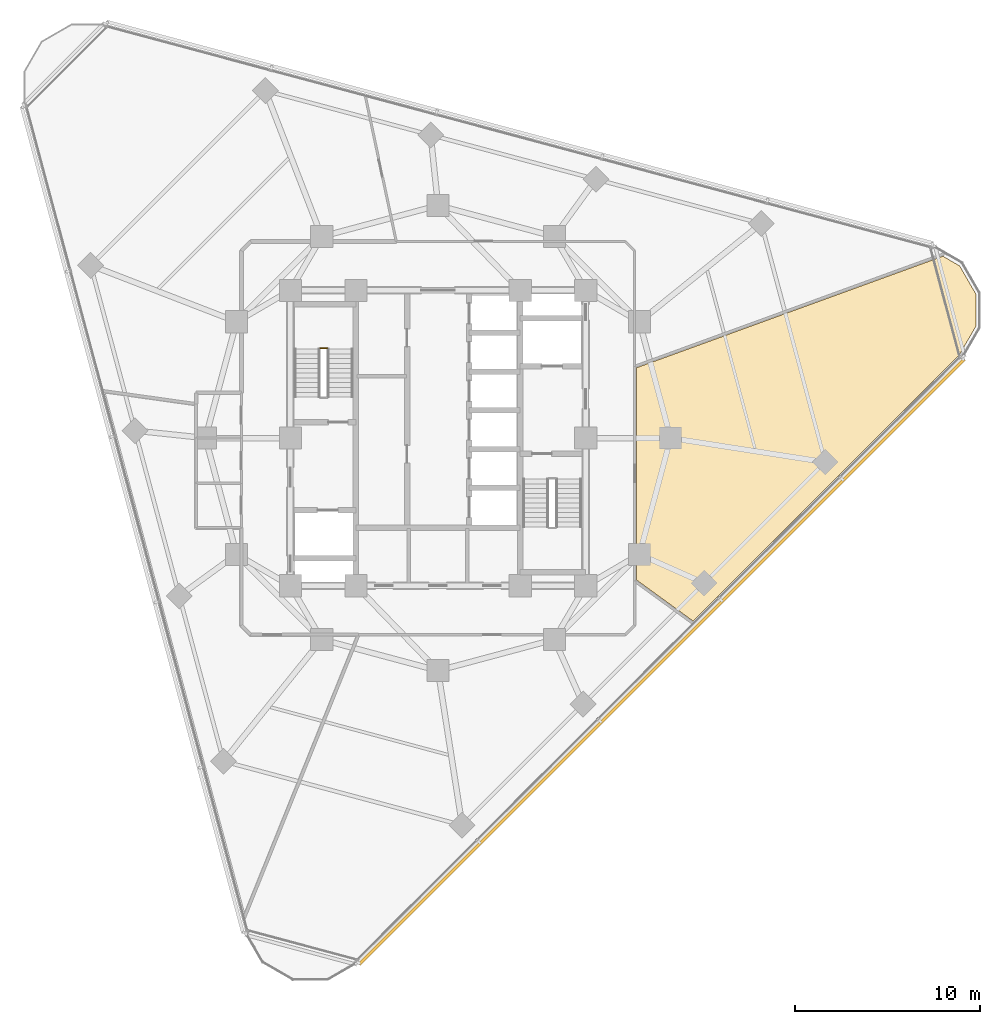
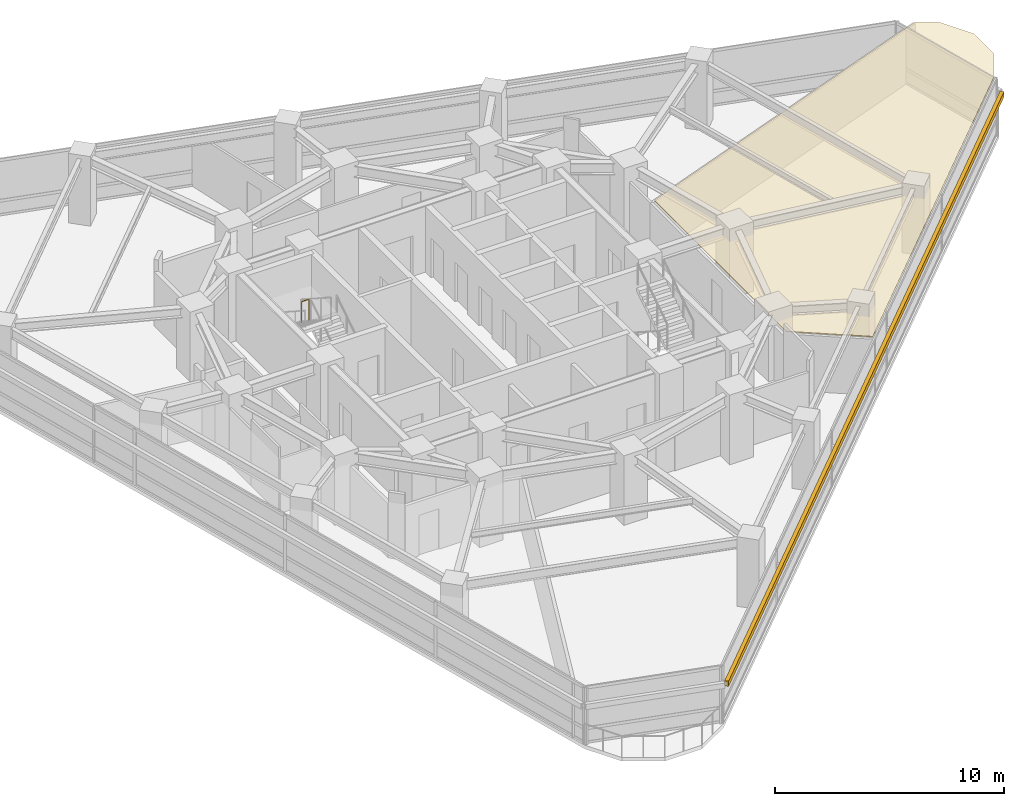
# One storey, part 12 of 13: 1 covering, 1 railing, 1 shading device.
"""IFC4 building model written with IfcOpenShell, lengths in metres."""

from ifc_helpers import new_model, si_unit, direction, frame, origin, origin_2d, place, context, subcontext, project, spatial, polyline, rectangle, circle, outline, extrude, material, layer, layer_set, type_object, element, save


model = new_model("IFC4")

# Units and contexts
model_context = context("Model", 3, precision=1e-05, world=origin(), true_north=direction((0.0, 1.0)))
body_context = subcontext(model_context, "Body", "Model", "MODEL_VIEW")
ifc_project = project(units=[si_unit("LENGTHUNIT", "METRE"), si_unit("AREAUNIT", "SQUARE_METRE"), si_unit("VOLUMEUNIT", "CUBIC_METRE"), si_unit("PLANEANGLEUNIT", "RADIAN"), si_unit("MASSUNIT", "GRAM", prefix="KILO")], contexts=[model_context])

# Site, building, storey
site_placement = place(None, origin())
site = spatial("IfcSite", under=ifc_project, at=site_placement, CompositionType="ELEMENT")
building_placement = place(site_placement, origin())
building = spatial("IfcBuilding", under=site, at=building_placement, Name="Terralouvre Media Tower", CompositionType="ELEMENT")
storey_placement = place(building_placement, frame((0.0, 0.0, 199.0)))
storey = spatial("IfcBuildingStorey", under=building, at=storey_placement, Name="L51", CompositionType="ELEMENT", Elevation=199.0)

# Covering
ifc_material_1 = material(Name="Perforated aluminium acoustic ceiling baffle", Category="aluminium")
ifc_layer_1 = layer(ifc_material_1, 0.0400390625, Name="Perforated Acoustic Metal Tile Ceiling CL-AC1")
ifc_layer_set_1 = layer_set([ifc_layer_1], Name="Perforated aluminium acoustic ceiling baffle")
covering_type = type_object("IfcCoveringType", Name="Perforated Acoustic Metal Tile Ceiling CL-AC1", PredefinedType="CEILING", material=ifc_layer_set_1)
covering_placement = place(storey_placement, frame((0.0, 0.0, 2.97998046875), z_axis=(0.0, 0.0, 1.0), x_axis=(0.707106781187, 0.707106781187, 0.0)))
element("IfcCovering", 1, at=covering_placement, inside=storey, type_object=covering_type, Name="L51 Foreign Press Reading Study 3 Acoustic Ceiling", PredefinedType="CEILING", context=body_context, shape_type="SweptSolid", body=[
    extrude(outline(polyline([(2.165771484375, -13.036865234375), (2.759765625, -16.782958984375), (23.15087890625, -16.78369140625), (24.87646484375, -16.32080078125), (26.117919921875, -15.07958984375), (26.572021484375, -13.38330078125), (26.302490234375, -12.375244140625), (10.292724609375, -4.91015625), (2.165771484375, -13.036865234375)])), origin(), (0.0, 0.0, 1.0), 0.0400390625),
])

# Railing
ifc_material_2 = material(Name="Stainless steel 316 handrail and balustrade", Category="steel")
ifc_layer_2 = layer(ifc_material_2, 0.050048828125, Name="Stairwell Safety Guardrail GR-INT1")
ifc_layer_set_2 = layer_set([ifc_layer_2], Name="Stainless steel 316 handrail and balustrade")
railing_type = type_object("IfcRailingType", Name="Stairwell Safety Guardrail GR-INT1", PredefinedType="GUARDRAIL", material=ifc_layer_set_2)
railing_placement = place(storey_placement, frame((-6.0, 4.8701171875, 1.85009765625)))
element("IfcRailing", 2, at=railing_placement, inside=storey, type_object=railing_type, Name="L51 ST-01 stair guard 2", PredefinedType="GUARDRAIL", context=body_context, shape_type="SweptSolid", body=[
    extrude(circle(Radius=0.02392578125, at=origin_2d()), frame((0.0, 0.0, 1.1259765625), z_axis=(-1.0, 0.0, 0.0), x_axis=(0.0, -1.0, 0.0)), (0.0, 0.0, 1.0), 0.3798828125),
    extrude(circle(Radius=0.02099609375, at=origin_2d()), origin(), (0.0, 0.0, 1.0), 1.101806640625),
    extrude(circle(Radius=0.02099609375, at=origin_2d()), frame((-0.3798828125, 0.0, 0.0)), (0.0, 0.0, 1.0), 1.101806640625),
])

# Shading device
ifc_material_3 = material(Name="Extruded terracotta baguette sunshade louvres", Category="masonry")
shading_device_type = type_object("IfcShadingDeviceType", Name="Terracotta Baguette Sunshade Louvre Screen TB-LV1", PredefinedType="USERDEFINED", material=ifc_material_3)
shading_device_placement = place(storey_placement, frame((12.121826171875, -12.121826171875, 2.02392578125), z_axis=(0.0, 0.0, 1.0), x_axis=(0.707106781187, 0.707106781187, 0.0)))
element("IfcShadingDevice", 3, at=shading_device_placement, inside=storey, type_object=shading_device_type, Name="CW-L51-F0 Terracotta Baguette Sunshade Louvre", ObjectType="BAGUETTE", PredefinedType="USERDEFINED", context=body_context, shape_type="SweptSolid", body=[
    extrude(rectangle(XDim=46.360107421875, YDim=0.179931640625, at=origin_2d()), origin(), (0.0, 0.0, 1.0), 0.280029296875),
])

save(model, "model.ifc")
